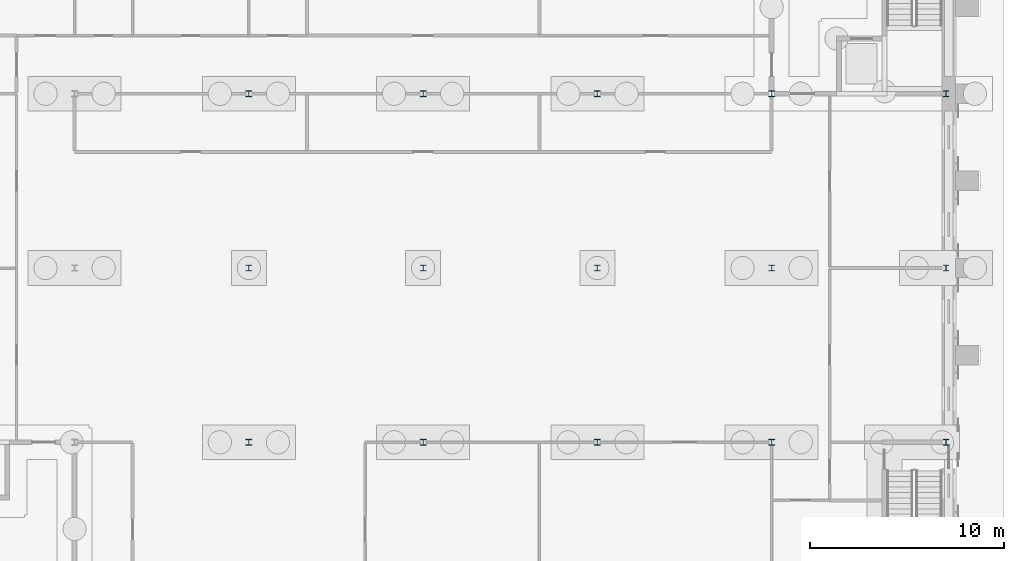
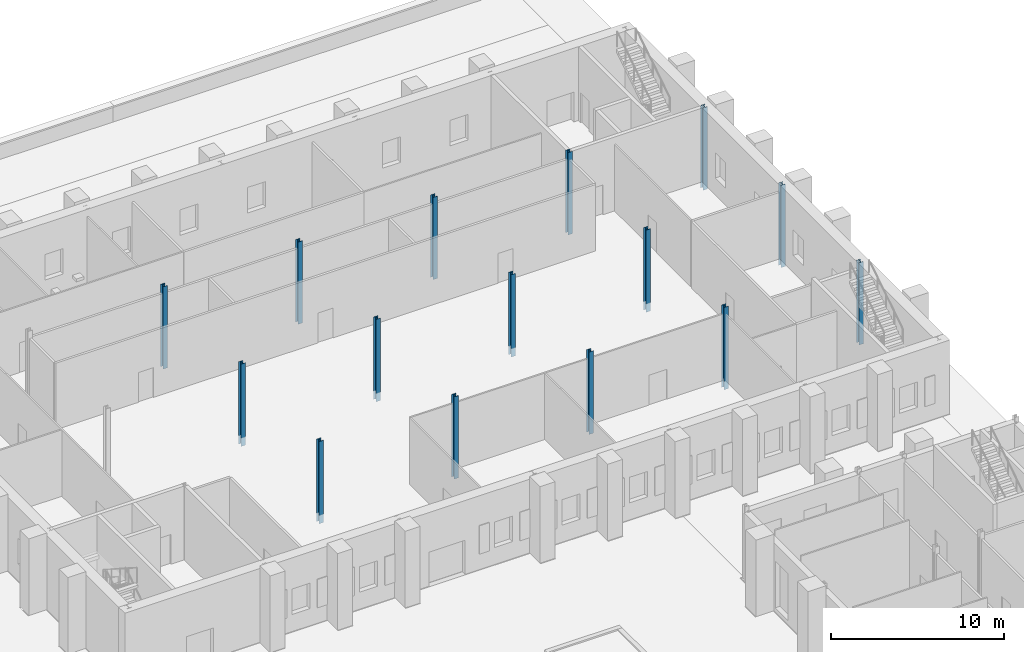
# One storey, part 32 of 168: 15 columns.
"""IFC4 building model written with IfcOpenShell, lengths in metres."""

from ifc_helpers import new_model, si_unit, direction, frame, origin, origin_2d, place, context, subcontext, project, spatial, i_section, extrude, material, material_profile, profile_set, type_object, element, save


model = new_model("IFC4")

# Units and contexts
model_context = context("Model", 3, precision=1e-05, world=origin(), true_north=direction((0.0, 1.0)))
body_context = subcontext(model_context, "Body", "Model", "MODEL_VIEW")
ifc_project = project(units=[si_unit("LENGTHUNIT", "METRE"), si_unit("AREAUNIT", "SQUARE_METRE"), si_unit("VOLUMEUNIT", "CUBIC_METRE"), si_unit("PLANEANGLEUNIT", "RADIAN"), si_unit("MASSUNIT", "GRAM", prefix="KILO")], contexts=[model_context])

# Site, building, storey
site_placement = place(None, origin())
site = spatial("IfcSite", under=ifc_project, at=site_placement, CompositionType="ELEMENT")
building_placement = place(site_placement, origin())
building = spatial("IfcBuilding", under=site, at=building_placement, Name="Golden Quay Civic Hall", CompositionType="ELEMENT")
storey_placement = place(building_placement, origin())
storey = spatial("IfcBuildingStorey", under=building, at=storey_placement, Name="L00", CompositionType="ELEMENT", Elevation=0.0)

# Columns
ifc_material = material(Name="Steel S355", Category="steel")
ifc_material_profile = material_profile(ifc_material, i_section(OverallWidth=0.300048828125, OverallDepth=0.300048828125, WebThickness=0.010986328125, FlangeThickness=0.01904296875, FilletRadius=0.027099609375, at=origin_2d()), Name="HEB 300")
ifc_profile_set = profile_set([ifc_material_profile], Name="Steel S355")
column_type = type_object("IfcColumnType", Name="Steel column HEB 300", PredefinedType="COLUMN", material=ifc_profile_set)
for number, where, z_axis, x_axis, name in (
    (1, (135.0, 72.0, -0.60009765625), (0.0, 0.0, 1.0), (1.0, 0.0, 0.0), "L00 column 135/72"),
    (2, (135.0, 81.0, -0.60009765625), (0.0, 0.0, 1.0), (1.0, 0.0, 0.0), "L00 column 135/81"),
    (3, (135.0, 90.0, -0.60009765625), (0.0, 0.0, 1.0), (1.0, 0.0, 0.0), "L00 column 135/90"),
    (4, (144.0, 72.0, -0.60009765625), (0.0, 0.0, 1.0), (1.0, 0.0, 0.0), "L00 column 144/72"),
    (5, (144.0, 81.0, -0.60009765625), (0.0, 0.0, 1.0), (1.0, 0.0, 0.0), "L00 column 144/81"),
    (6, (144.0, 90.0, -0.60009765625), (0.0, 0.0, 1.0), (1.0, 0.0, 0.0), "L00 column 144/90"),
    (7, (153.0, 72.0, -0.60009765625), (0.0, 0.0, 1.0), (1.0, 0.0, 0.0), "L00 column 153/72"),
    (8, (153.0, 81.0, -0.60009765625), (0.0, 0.0, 1.0), (1.0, 0.0, 0.0), "L00 column 153/81"),
    (9, (153.0, 90.0, -0.60009765625), (0.0, 0.0, 1.0), (1.0, 0.0, 0.0), "L00 column 153/90"),
    (10, (162.0, 72.0, -0.60009765625), (0.0, 0.0, 1.0), (1.0, 0.0, 0.0), "L00 column 162/72"),
    (11, (162.0, 81.0, -0.60009765625), (0.0, 0.0, 1.0), (1.0, 0.0, 0.0), "L00 column 162/81"),
    (12, (162.0, 90.0, -0.60009765625), (0.0, 0.0, 1.0), (1.0, 0.0, 0.0), "L00 column 162/90"),
    (13, (171.0, 72.0, -0.60009765625), (0.0, 0.0, 1.0), (1.0, 0.0, 0.0), "L00 column 171/72"),
    (14, (171.0, 81.0, -0.60009765625), (0.0, 0.0, 1.0), (1.0, 0.0, 0.0), "L00 column 171/81"),
    (15, (171.0, 90.0, -0.60009765625), (0.0, 0.0, 1.0), (1.0, 0.0, 0.0), "L00 column 171/90"),
):
    element("IfcColumn", number, at=place(storey_placement, frame(where, z_axis=z_axis, x_axis=x_axis)), inside=storey, type_object=column_type, Name=name, PredefinedType="COLUMN", context=body_context, shape_type="SweptSolid", body=[
        extrude(i_section(OverallWidth=0.300048828125, OverallDepth=0.300048828125, WebThickness=0.010986328125, FlangeThickness=0.01904296875, FilletRadius=0.027099609375, at=origin_2d()), origin(), (0.0, 0.0, 1.0), 5.800048828125),
    ])

save(model, "model.ifc")
